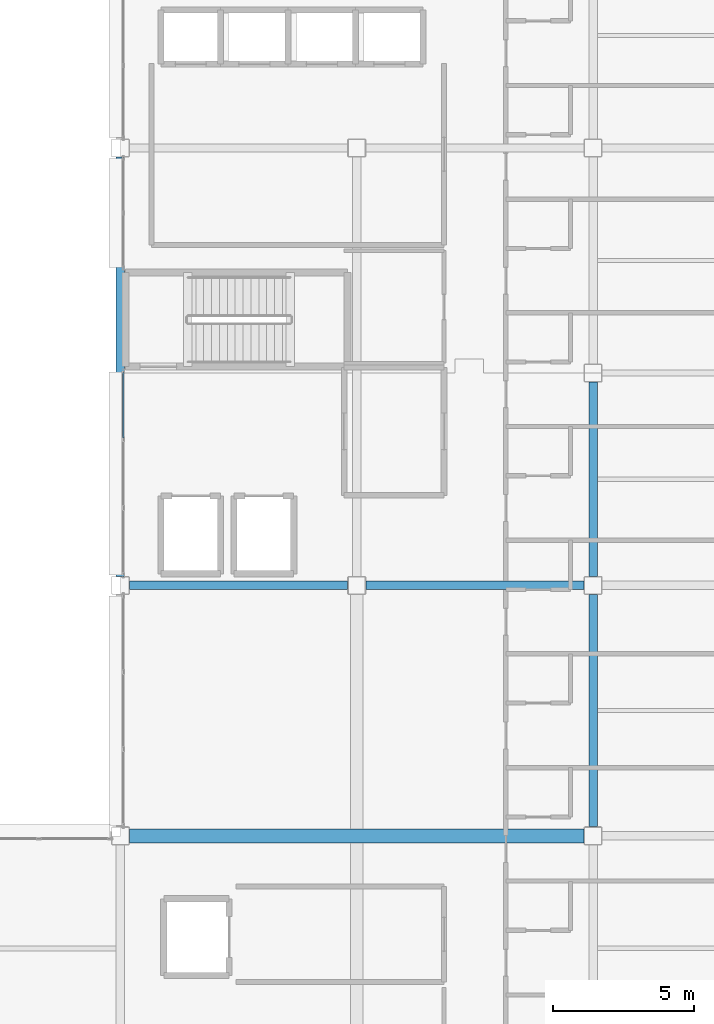
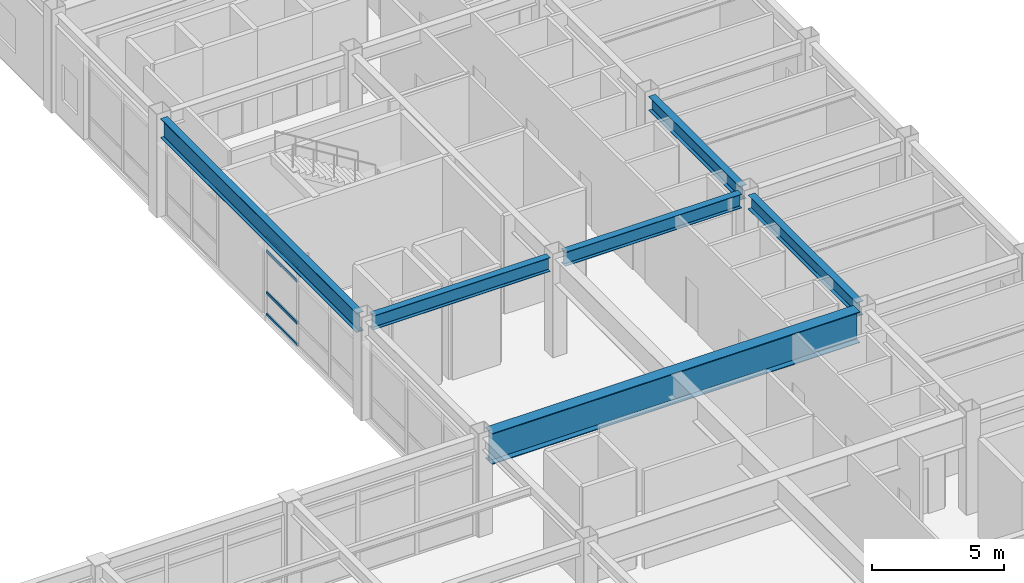
# One storey, part 57 of 93: 6 beams, 4 members, 1 element without a shape of its own.
"""IFC4 building model written with IfcOpenShell, lengths in metres."""

from ifc_helpers import new_model, si_unit, direction, frame, origin, origin_2d, place, context, subcontext, project, spatial, hollow_rectangle, i_section, extrude, material, layer, layer_set, material_profile, profile_set, type_object, element, aggregate, save


model = new_model("IFC4")

# Units and contexts
model_context = context("Model", 3, precision=1e-05, world=origin(), true_north=direction((0.0, 1.0)))
body_context = subcontext(model_context, "Body", "Model", "MODEL_VIEW")
ifc_project = project(units=[si_unit("LENGTHUNIT", "METRE"), si_unit("AREAUNIT", "SQUARE_METRE"), si_unit("VOLUMEUNIT", "CUBIC_METRE"), si_unit("PLANEANGLEUNIT", "RADIAN"), si_unit("MASSUNIT", "GRAM", prefix="KILO")], contexts=[model_context])

# Site, building, storey
site_placement = place(None, origin())
site = spatial("IfcSite", under=ifc_project, at=site_placement, CompositionType="ELEMENT")
building_placement = place(site_placement, origin())
building = spatial("IfcBuilding", under=site, at=building_placement, Name="Kazehara Bluff Congress Hotel", CompositionType="ELEMENT")
storey_placement = place(building_placement, frame((0.0, 0.0, 15.0)))
storey = spatial("IfcBuildingStorey", under=building, at=storey_placement, Name="L03", CompositionType="ELEMENT", Elevation=15.0)

# Curtain wall, members
ifc_material_1 = material(Name="Anodised aluminium", Category="aluminium")
ifc_layer = layer(ifc_material_1, 0.159912109375)
ifc_layer_set = layer_set([ifc_layer], Name="Anodised aluminium")
curtain_wall_type = type_object("IfcCurtainWallType", Name="TP-CW-149", PredefinedType="NOTDEFINED", material=ifc_layer_set)
curtain_wall_placement = place(storey_placement, origin())
curtain_wall = element("IfcCurtainWall", 1, at=curtain_wall_placement, inside=storey, type_object=curtain_wall_type, Name="L03 curtain wall CW-149 CW-ENC-V5-L03-14380-4488", PredefinedType="NOTDEFINED")
ifc_material_2 = material(Name="Anodised aluminium", Category="aluminium")
ifc_material_profile_1 = material_profile(ifc_material_2, hollow_rectangle(XDim=0.06494140625, YDim=0.139892578125, WallThickness=0.00390625, InnerFilletRadius=0.00390625, OuterFilletRadius=0.008056640625, at=origin_2d()))
ifc_profile_set_1 = profile_set([ifc_material_profile_1], Name="Anodised aluminium")
member_type = type_object("IfcMemberType", Name="TP-CWT-02", PredefinedType="USERDEFINED", material=ifc_profile_set_1)
member_1_placement = place(storey_placement, frame((143.800048828125, 46.13427734375, 0.032470703125), z_axis=(0.0, 1.0, 0.0), x_axis=(-1.0, 0.0, 0.0)))
member_1 = element("IfcMember", 2, at=member_1_placement, type_object=member_type, Name="CW-149 transom 3.1", ObjectType="TRANSOM", PredefinedType="USERDEFINED", context=body_context, shape_type="SweptSolid", body=[
    extrude(hollow_rectangle(XDim=0.06494140625, YDim=0.139892578125, WallThickness=0.00390625, InnerFilletRadius=0.00390625, OuterFilletRadius=0.008056640625, at=origin_2d()), origin(), (0.0, 0.0, 1.0), 2.3408203125),
])
member_2_placement = place(storey_placement, frame((143.800048828125, 46.13427734375, 1.050048828125), z_axis=(0.0, 1.0, 0.0), x_axis=(-1.0, 0.0, 0.0)))
member_2 = element("IfcMember", 3, at=member_2_placement, type_object=member_type, Name="CW-149 transom 3.2", ObjectType="TRANSOM", PredefinedType="USERDEFINED", context=body_context, shape_type="SweptSolid", body=[
    extrude(hollow_rectangle(XDim=0.06494140625, YDim=0.139892578125, WallThickness=0.00390625, InnerFilletRadius=0.00390625, OuterFilletRadius=0.008056640625, at=origin_2d()), origin(), (0.0, 0.0, 1.0), 2.3408203125),
])
member_3_placement = place(storey_placement, frame((143.800048828125, 46.13427734375, 2.985107421875), z_axis=(0.0, 1.0, 0.0), x_axis=(-1.0, 0.0, 0.0)))
member_3 = element("IfcMember", 4, at=member_3_placement, type_object=member_type, Name="CW-149 transom 3.3", ObjectType="TRANSOM", PredefinedType="USERDEFINED", context=body_context, shape_type="SweptSolid", body=[
    extrude(hollow_rectangle(XDim=0.06494140625, YDim=0.139892578125, WallThickness=0.00390625, InnerFilletRadius=0.00390625, OuterFilletRadius=0.008056640625, at=origin_2d()), origin(), (0.0, 0.0, 1.0), 2.3408203125),
])
member_4_placement = place(storey_placement, frame((143.800048828125, 46.13427734375, 3.6025390625), z_axis=(0.0, 1.0, 0.0), x_axis=(-1.0, 0.0, 0.0)))
member_4 = element("IfcMember", 5, at=member_4_placement, type_object=member_type, Name="CW-149 transom 3.4", ObjectType="TRANSOM", PredefinedType="USERDEFINED", context=body_context, shape_type="SweptSolid", body=[
    extrude(hollow_rectangle(XDim=0.06494140625, YDim=0.139892578125, WallThickness=0.00390625, InnerFilletRadius=0.00390625, OuterFilletRadius=0.008056640625, at=origin_2d()), origin(), (0.0, 0.0, 1.0), 2.3408203125),
])
aggregate(curtain_wall, [member_1, member_2, member_3, member_4])

# Beams
ifc_material_3 = material(Name="Steel SN490B", Category="steel")
ifc_material_profile_2 = material_profile(ifc_material_3, i_section(OverallWidth=0.300048828125, OverallDepth=0.64990234375, WebThickness=0.011962890625, FlangeThickness=0.02001953125, FilletRadius=0.012939453125, at=origin_2d()))
ifc_profile_set_2 = profile_set([ifc_material_profile_2], Name="Steel SN490B")
beam_type_1 = type_object("IfcBeamType", Name="TP-G-03", PredefinedType="BEAM", material=ifc_profile_set_2)
beam_1_placement = place(storey_placement, frame((160.5, 32.324951171875, 4.235107421875), z_axis=(0.0, 1.0, 0.0), x_axis=(-1.0, 0.0, 0.0)))
element("IfcBeam", 6, at=beam_1_placement, inside=storey, type_object=beam_type_1, Name="L03 girder G-03 132", PredefinedType="BEAM", context=body_context, shape_type="SweptSolid", body=[
    extrude(i_section(OverallWidth=0.300048828125, OverallDepth=0.64990234375, WebThickness=0.011962890625, FlangeThickness=0.02001953125, FilletRadius=0.012939453125, at=origin_2d()), origin(), (0.0, 0.0, 1.0), 8.25),
])
beam_2_placement = place(storey_placement, frame((160.5, 41.22509765625, 4.235107421875), z_axis=(0.0, 1.0, 0.0), x_axis=(-1.0, 0.0, 0.0)))
element("IfcBeam", 7, at=beam_2_placement, inside=storey, type_object=beam_type_1, Name="L03 girder G-03 133", PredefinedType="BEAM", context=body_context, shape_type="SweptSolid", body=[
    extrude(i_section(OverallWidth=0.300048828125, OverallDepth=0.64990234375, WebThickness=0.011962890625, FlangeThickness=0.02001953125, FilletRadius=0.012939453125, at=origin_2d()), origin(), (0.0, 0.0, 1.0), 6.89990234375),
])
for number, where, z_axis, x_axis, name in (
    (8, (144.02490234375, 40.89990234375, 4.235107421875), (1.0, 0.0, 0.0), (0.0, 1.0, 0.0), "L03 girder G-03 176"),
    (9, (152.425048828125, 40.89990234375, 4.235107421875), (1.0, 0.0, 0.0), (0.0, 1.0, 0.0), "L03 girder G-03 177"),
):
    element("IfcBeam", number, at=place(storey_placement, frame(where, z_axis=z_axis, x_axis=x_axis)), inside=storey, type_object=beam_type_1, Name=name, PredefinedType="BEAM", context=body_context, shape_type="SweptSolid", body=[
        extrude(i_section(OverallWidth=0.300048828125, OverallDepth=0.64990234375, WebThickness=0.011962890625, FlangeThickness=0.02001953125, FilletRadius=0.012939453125, at=origin_2d()), origin(), (0.0, 0.0, 1.0), 7.75),
    ])
ifc_material_4 = material(Name="Steel SN490B", Category="steel")
ifc_material_profile_3 = material_profile(ifc_material_4, i_section(OverallWidth=0.300048828125, OverallDepth=0.89990234375, WebThickness=0.01611328125, FlangeThickness=0.028076171875, FilletRadius=0.01806640625, at=origin_2d()))
ifc_profile_set_3 = profile_set([ifc_material_profile_3], Name="Steel SN490B")
beam_type_2 = type_object("IfcBeamType", Name="TP-G-08", PredefinedType="BEAM", material=ifc_profile_set_3)
beam_3_placement = place(storey_placement, frame((143.699951171875, 41.22509765625, 4.110107421875), z_axis=(0.0, 1.0, 0.0), x_axis=(-1.0, 0.0, 0.0)))
element("IfcBeam", 10, at=beam_3_placement, inside=storey, type_object=beam_type_2, Name="L03 girder G-08 114", PredefinedType="BEAM", context=body_context, shape_type="SweptSolid", body=[
    extrude(i_section(OverallWidth=0.300048828125, OverallDepth=0.89990234375, WebThickness=0.01611328125, FlangeThickness=0.028076171875, FilletRadius=0.01806640625, at=origin_2d()), origin(), (0.0, 0.0, 1.0), 14.89990234375),
])
ifc_material_5 = material(Name="Steel SN490B", Category="steel")
ifc_material_profile_4 = material_profile(ifc_material_5, i_section(OverallWidth=0.5, OverallDepth=1.43994140625, WebThickness=0.02197265625, FlangeThickness=0.035888671875, at=origin_2d()))
ifc_profile_set_4 = profile_set([ifc_material_profile_4], Name="Steel SN490B")
beam_type_3 = type_object("IfcBeamType", Name="TP-TG-01", PredefinedType="USERDEFINED", material=ifc_profile_set_4)
beam_4_placement = place(storey_placement, frame((144.02490234375, 32.0, 3.840087890625), z_axis=(1.0, 0.0, 0.0), x_axis=(0.0, 1.0, 0.0)))
element("IfcBeam", 11, at=beam_4_placement, inside=storey, type_object=beam_type_3, Name="L03 transfer girder TG-01 174", ObjectType="GIRDER", PredefinedType="USERDEFINED", context=body_context, shape_type="SweptSolid", body=[
    extrude(i_section(OverallWidth=0.5, OverallDepth=1.43994140625, WebThickness=0.02197265625, FlangeThickness=0.035888671875, at=origin_2d()), origin(), (0.0, 0.0, 1.0), 16.150146484375),
])

save(model, "model.ifc")
